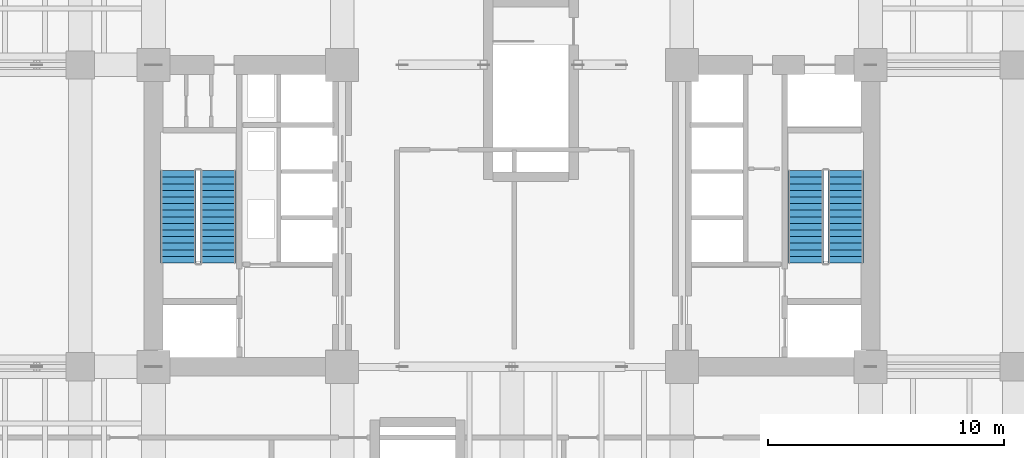
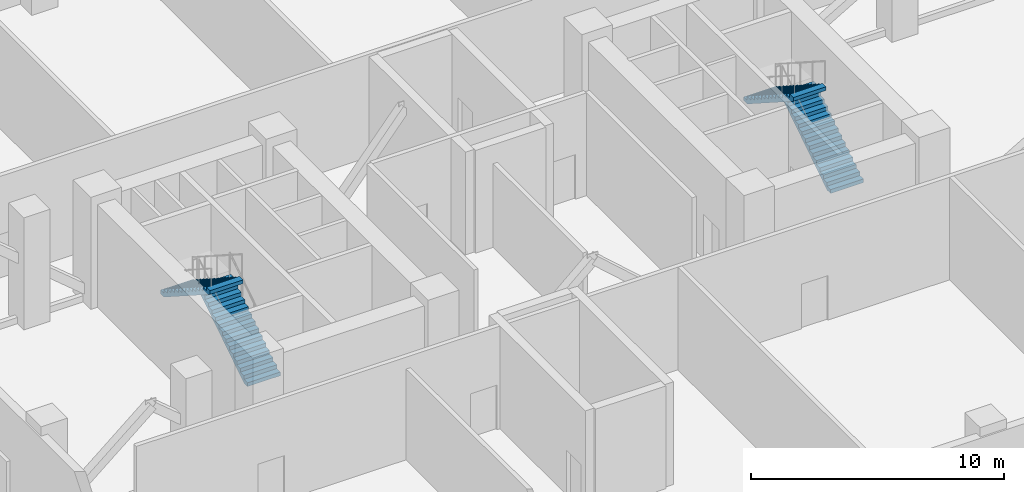
# One storey, part 9 of 13: 4 stair flights, 2 elements without a shape of their own.
"""IFC4 building model written with IfcOpenShell, lengths in metres."""

from ifc_helpers import new_model, si_unit, direction, frame, origin, place, context, subcontext, project, spatial, polyline, outline, extrude, material, type_object, element, aggregate, save


model = new_model("IFC4")

# Units and contexts
model_context = context("Model", 3, precision=1e-05, world=origin(), true_north=direction((0.0, 1.0)))
body_context = subcontext(model_context, "Body", "Model", "MODEL_VIEW")
ifc_project = project(units=[si_unit("LENGTHUNIT", "METRE"), si_unit("AREAUNIT", "SQUARE_METRE"), si_unit("VOLUMEUNIT", "CUBIC_METRE"), si_unit("PLANEANGLEUNIT", "RADIAN"), si_unit("MASSUNIT", "GRAM", prefix="KILO")], contexts=[model_context])

# Site, building, storey
site_placement = place(None, origin())
site = spatial("IfcSite", under=ifc_project, at=site_placement, CompositionType="ELEMENT")
building_placement = place(site_placement, origin())
building = spatial("IfcBuilding", under=site, at=building_placement, Name="Kranthara Brick Stack", CompositionType="ELEMENT")
storey_placement = place(building_placement, frame((0.0, 0.0, 18.89990234375)))
storey = spatial("IfcBuildingStorey", under=building, at=storey_placement, Name="L04", CompositionType="ELEMENT", Elevation=18.89990234375)

# Stair, stair flights
ifc_material_1 = material(Name="Concrete C45/55", Category="concrete")
stair_type = type_object("IfcStairType", Name="ST-CORE-30R", PredefinedType="HALF_TURN_STAIR", material=ifc_material_1)
stair_1_placement = place(storey_placement, origin())
stair_1 = element("IfcStair", 1, at=stair_1_placement, inside=storey, type_object=stair_type, Name="L04 West Core Protected Exit Stair ST01", PredefinedType="HALF_TURN_STAIR")
ifc_material_2 = material(Name="Concrete C45/55", Category="concrete")
stair_flight_type = type_object("IfcStairFlightType", Name="SFL-RC-30R", PredefinedType="STRAIGHT", material=ifc_material_2)
stair_flight_1_placement = place(storey_placement, frame((15.550048828125, 25.199951171875, 0.0), z_axis=(0.0, 0.0, 1.0), x_axis=(0.0, 1.0, 0.0)))
stair_flight_1 = element("IfcStairFlight", 2, at=stair_flight_1_placement, type_object=stair_flight_type, Name="ST01 flight 1", NumberOfRisers=15, NumberOfTreads=14, PredefinedType="STRAIGHT", RiserHeight=0.18, TreadLength=0.28, context=body_context, shape_type="SweptSolid", body=[
    extrude(outline(polyline([(0.0, 0.0), (0.0, 0.179931640625), (0.280029296875, 0.179931640625), (0.280029296875, 0.360107421875), (0.56005859375, 0.360107421875), (0.56005859375, 0.5400390625), (0.840087890625, 0.5400390625), (0.840087890625, 0.719970703125), (1.1201171875, 0.719970703125), (1.1201171875, 0.89990234375), (1.39990234375, 0.89990234375), (1.39990234375, 1.080078125), (1.679931640625, 1.080078125), (1.679931640625, 1.260009765625), (1.9599609375, 1.260009765625), (1.9599609375, 1.43994140625), (2.239990234375, 1.43994140625), (2.239990234375, 1.6201171875), (2.52001953125, 1.6201171875), (2.52001953125, 1.800048828125), (2.800048828125, 1.800048828125), (2.800048828125, 1.97998046875), (3.080078125, 1.97998046875), (3.080078125, 2.159912109375), (3.360107421875, 2.159912109375), (3.360107421875, 2.340087890625), (3.639892578125, 2.340087890625), (3.639892578125, 2.52001953125), (3.919921875, 2.52001953125), (3.919921875, 2.699951171875), (3.919921875, 2.341796875), (0.277099609375, 0.0), (0.0, 0.0)])), frame((0.0, 0.75, 0.0), z_axis=(0.0, -1.0, 0.0), x_axis=(1.0, 0.0, 0.0)), (0.0, 0.0, 1.0), 1.5),
])
stair_flight_2_placement = place(storey_placement, frame((13.85009765625, 29.1201171875, 2.7001953125), z_axis=(0.0, 0.0, 1.0), x_axis=(0.0, -1.0, 0.0)))
stair_flight_2 = element("IfcStairFlight", 3, at=stair_flight_2_placement, type_object=stair_flight_type, Name="ST01 flight 2", NumberOfRisers=15, NumberOfTreads=14, PredefinedType="STRAIGHT", RiserHeight=0.18, TreadLength=0.28, context=body_context, shape_type="SweptSolid", body=[
    extrude(outline(polyline([(0.0, 0.0), (0.0, 0.179931640625), (0.280029296875, 0.179931640625), (0.280029296875, 0.360107421875), (0.56005859375, 0.360107421875), (0.56005859375, 0.5400390625), (0.840087890625, 0.5400390625), (0.840087890625, 0.719970703125), (1.1201171875, 0.719970703125), (1.1201171875, 0.89990234375), (1.39990234375, 0.89990234375), (1.39990234375, 1.080078125), (1.679931640625, 1.080078125), (1.679931640625, 1.260009765625), (1.9599609375, 1.260009765625), (1.9599609375, 1.43994140625), (2.239990234375, 1.43994140625), (2.239990234375, 1.6201171875), (2.52001953125, 1.6201171875), (2.52001953125, 1.800048828125), (2.800048828125, 1.800048828125), (2.800048828125, 1.97998046875), (3.080078125, 1.97998046875), (3.080078125, 2.159912109375), (3.360107421875, 2.159912109375), (3.360107421875, 2.340087890625), (3.639892578125, 2.340087890625), (3.639892578125, 2.52001953125), (3.919921875, 2.52001953125), (3.919921875, 2.699951171875), (3.919921875, 2.341796875), (0.277099609375, 0.0), (0.0, 0.0)])), frame((0.0, 0.75, 0.0), z_axis=(0.0, -1.0, 0.0), x_axis=(1.0, 0.0, 0.0)), (0.0, 0.0, 1.0), 1.5),
])
aggregate(stair_1, [stair_flight_1, stair_flight_2])

stair_2_placement = place(storey_placement, origin())
stair_2 = element("IfcStair", 4, at=stair_2_placement, inside=storey, type_object=stair_type, Name="L04 East Core Protected Exit Stair ST02", PredefinedType="HALF_TURN_STAIR")
stair_flight_3_placement = place(storey_placement, frame((42.14990234375, 25.199951171875, 0.0), z_axis=(0.0, 0.0, 1.0), x_axis=(0.0, 1.0, 0.0)))
stair_flight_3 = element("IfcStairFlight", 5, at=stair_flight_3_placement, type_object=stair_flight_type, Name="ST02 flight 1", NumberOfRisers=15, NumberOfTreads=14, PredefinedType="STRAIGHT", RiserHeight=0.18, TreadLength=0.28, context=body_context, shape_type="SweptSolid", body=[
    extrude(outline(polyline([(0.0, 0.0), (0.0, 0.179931640625), (0.280029296875, 0.179931640625), (0.280029296875, 0.360107421875), (0.56005859375, 0.360107421875), (0.56005859375, 0.5400390625), (0.840087890625, 0.5400390625), (0.840087890625, 0.719970703125), (1.1201171875, 0.719970703125), (1.1201171875, 0.89990234375), (1.39990234375, 0.89990234375), (1.39990234375, 1.080078125), (1.679931640625, 1.080078125), (1.679931640625, 1.260009765625), (1.9599609375, 1.260009765625), (1.9599609375, 1.43994140625), (2.239990234375, 1.43994140625), (2.239990234375, 1.6201171875), (2.52001953125, 1.6201171875), (2.52001953125, 1.800048828125), (2.800048828125, 1.800048828125), (2.800048828125, 1.97998046875), (3.080078125, 1.97998046875), (3.080078125, 2.159912109375), (3.360107421875, 2.159912109375), (3.360107421875, 2.340087890625), (3.639892578125, 2.340087890625), (3.639892578125, 2.52001953125), (3.919921875, 2.52001953125), (3.919921875, 2.699951171875), (3.919921875, 2.341796875), (0.277099609375, 0.0), (0.0, 0.0)])), frame((0.0, 0.75, 0.0), z_axis=(0.0, -1.0, 0.0), x_axis=(1.0, 0.0, 0.0)), (0.0, 0.0, 1.0), 1.5),
])
stair_flight_4_placement = place(storey_placement, frame((40.449951171875, 29.1201171875, 2.7001953125), z_axis=(0.0, 0.0, 1.0), x_axis=(0.0, -1.0, 0.0)))
stair_flight_4 = element("IfcStairFlight", 6, at=stair_flight_4_placement, type_object=stair_flight_type, Name="ST02 flight 2", NumberOfRisers=15, NumberOfTreads=14, PredefinedType="STRAIGHT", RiserHeight=0.18, TreadLength=0.28, context=body_context, shape_type="SweptSolid", body=[
    extrude(outline(polyline([(0.0, 0.0), (0.0, 0.179931640625), (0.280029296875, 0.179931640625), (0.280029296875, 0.360107421875), (0.56005859375, 0.360107421875), (0.56005859375, 0.5400390625), (0.840087890625, 0.5400390625), (0.840087890625, 0.719970703125), (1.1201171875, 0.719970703125), (1.1201171875, 0.89990234375), (1.39990234375, 0.89990234375), (1.39990234375, 1.080078125), (1.679931640625, 1.080078125), (1.679931640625, 1.260009765625), (1.9599609375, 1.260009765625), (1.9599609375, 1.43994140625), (2.239990234375, 1.43994140625), (2.239990234375, 1.6201171875), (2.52001953125, 1.6201171875), (2.52001953125, 1.800048828125), (2.800048828125, 1.800048828125), (2.800048828125, 1.97998046875), (3.080078125, 1.97998046875), (3.080078125, 2.159912109375), (3.360107421875, 2.159912109375), (3.360107421875, 2.340087890625), (3.639892578125, 2.340087890625), (3.639892578125, 2.52001953125), (3.919921875, 2.52001953125), (3.919921875, 2.699951171875), (3.919921875, 2.341796875), (0.277099609375, 0.0), (0.0, 0.0)])), frame((0.0, 0.75, 0.0), z_axis=(0.0, -1.0, 0.0), x_axis=(1.0, 0.0, 0.0)), (0.0, 0.0, 1.0), 1.5),
])
aggregate(stair_2, [stair_flight_3, stair_flight_4])

save(model, "model.ifc")
